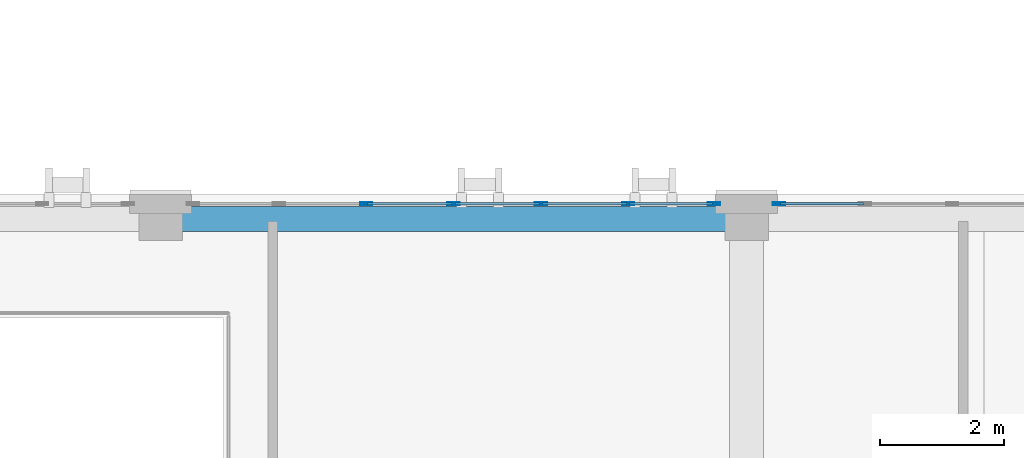
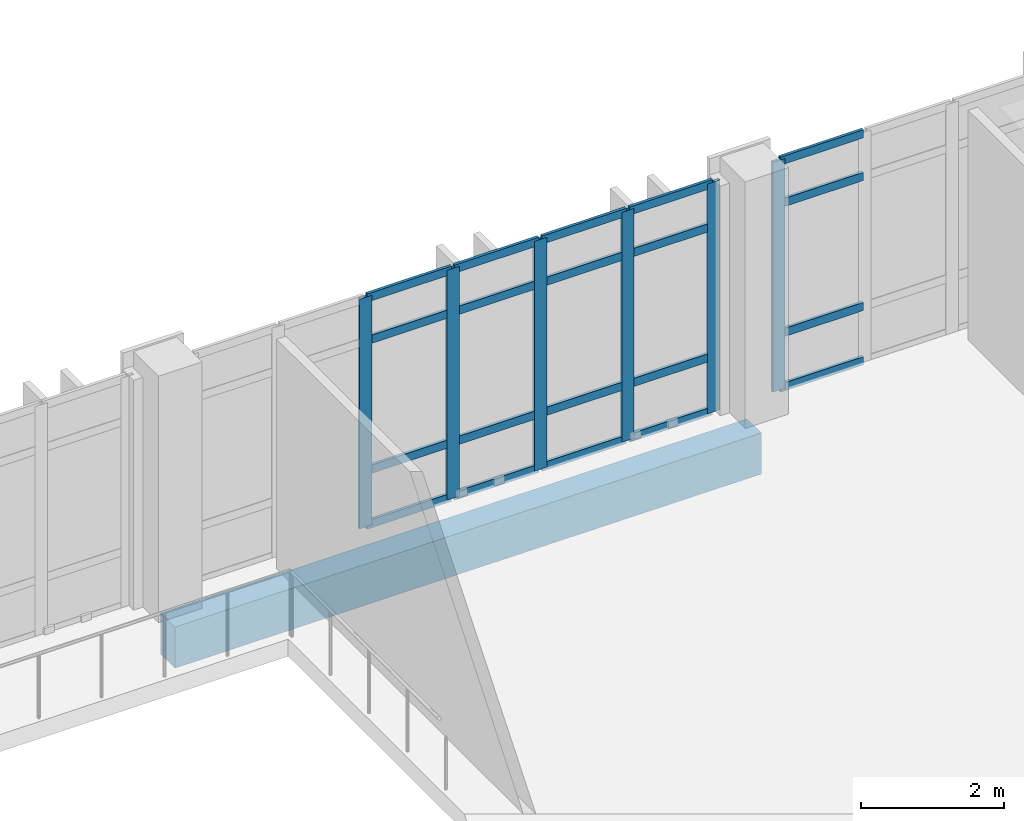
# One storey, part 39 of 193: 26 members, 1 beam, 2 elements without a shape of their own.
"""IFC4 building model written with IfcOpenShell, lengths in metres."""

from ifc_helpers import new_model, si_unit, direction, frame, origin, origin_2d, place, context, subcontext, project, spatial, rectangle, hollow_rectangle, extrude, material, layer, layer_set, material_profile, profile_set, type_object, element, aggregate, save


model = new_model("IFC4")

# Units and contexts
model_context = context("Model", 3, precision=1e-05, world=origin(), true_north=direction((0.0, 1.0)))
body_context = subcontext(model_context, "Body", "Model", "MODEL_VIEW")
ifc_project = project(units=[si_unit("LENGTHUNIT", "METRE"), si_unit("AREAUNIT", "SQUARE_METRE"), si_unit("VOLUMEUNIT", "CUBIC_METRE"), si_unit("PLANEANGLEUNIT", "RADIAN"), si_unit("MASSUNIT", "GRAM", prefix="KILO")], contexts=[model_context])

# Site, building, storey
site_placement = place(None, origin())
site = spatial("IfcSite", under=ifc_project, at=site_placement, CompositionType="ELEMENT")
building_placement = place(site_placement, origin())
building = spatial("IfcBuilding", under=site, at=building_placement, Name="Qalavern Law Courts", CompositionType="ELEMENT")
storey_placement = place(building_placement, frame((0.0, 0.0, 10.199951171875)))
storey = spatial("IfcBuildingStorey", under=building, at=storey_placement, Name="L02", CompositionType="ELEMENT", Elevation=10.199951171875)

# Curtain wall, member
ifc_material_1 = material(Name="Anodised aluminium and insulated glazing", Category="aluminium")
ifc_layer = layer(ifc_material_1, 0.18505859375)
ifc_layer_set = layer_set([ifc_layer], Name="Anodised aluminium and insulated glazing")
curtain_wall_type = type_object("IfcCurtainWallType", Name="ENV-CW-HALL", PredefinedType="USERDEFINED", material=ifc_layer_set)
curtain_wall_1_placement = place(storey_placement, origin())
curtain_wall_1 = element("IfcCurtainWall", 1, at=curtain_wall_1_placement, inside=storey, type_object=curtain_wall_type, Name="V2 unitised curtain wall L02 north 2", ObjectType="UNITISED CURTAIN WALL", PredefinedType="USERDEFINED")
ifc_material_2 = material(Name="Anodised aluminium", Category="aluminium")
ifc_material_profile_1 = material_profile(ifc_material_2, hollow_rectangle(XDim=0.048095703125, YDim=0.199951171875, WallThickness=0.00439453125, at=origin_2d()), Name="ALU MULLION 48x200")
ifc_profile_set_1 = profile_set([ifc_material_profile_1], Name="Anodised aluminium")
member_type_1 = type_object("IfcMemberType", Name="ENV-CWM-48x200", PredefinedType="MULLION", material=ifc_profile_set_1)
member_1_placement = place(storey_placement, frame((72.961181640625, 30.2451171875, 0.0), z_axis=(0.0, 0.0, 1.0), x_axis=(0.0, -1.0, 0.0)))
member_1 = element("IfcMember", 2, at=member_1_placement, type_object=member_type_1, Name="CW-02 mullion 7", PredefinedType="MULLION", context=body_context, shape_type="SweptSolid", body=[
    extrude(hollow_rectangle(XDim=0.048095703125, YDim=0.199951171875, WallThickness=0.00439453125, at=origin_2d()), origin(), (0.0, 0.0, 1.0), 3.9150390625),
])

# Curtain wall, members
curtain_wall_2_placement = place(storey_placement, origin())
curtain_wall_2 = element("IfcCurtainWall", 3, at=curtain_wall_2_placement, inside=storey, type_object=curtain_wall_type, Name="V2 unitised curtain wall L02 north 3", ObjectType="UNITISED CURTAIN WALL", PredefinedType="USERDEFINED")
member_2_placement = place(storey_placement, frame((71.9130859375, 30.2451171875, 0.0), z_axis=(0.0, 0.0, 1.0), x_axis=(0.0, -1.0, 0.0)))
member_2 = element("IfcMember", 4, at=member_2_placement, type_object=member_type_1, Name="CW-02 mullion 1", PredefinedType="MULLION", context=body_context, shape_type="SweptSolid", body=[
    extrude(hollow_rectangle(XDim=0.048095703125, YDim=0.199951171875, WallThickness=0.00439453125, at=origin_2d()), origin(), (0.0, 0.0, 1.0), 3.9150390625),
])
member_3_placement = place(storey_placement, frame((70.528076171875, 30.2451171875, 0.0), z_axis=(0.0, 0.0, 1.0), x_axis=(0.0, -1.0, 0.0)))
member_3 = element("IfcMember", 5, at=member_3_placement, type_object=member_type_1, Name="CW-02 mullion 2", PredefinedType="MULLION", context=body_context, shape_type="SweptSolid", body=[
    extrude(hollow_rectangle(XDim=0.048095703125, YDim=0.199951171875, WallThickness=0.00439453125, at=origin_2d()), origin(), (0.0, 0.0, 1.0), 3.9150390625),
])
member_4_placement = place(storey_placement, frame((69.119140625, 30.2451171875, 0.0), z_axis=(0.0, 0.0, 1.0), x_axis=(0.0, -1.0, 0.0)))
member_4 = element("IfcMember", 6, at=member_4_placement, type_object=member_type_1, Name="CW-02 mullion 3", PredefinedType="MULLION", context=body_context, shape_type="SweptSolid", body=[
    extrude(hollow_rectangle(XDim=0.048095703125, YDim=0.199951171875, WallThickness=0.00439453125, at=origin_2d()), origin(), (0.0, 0.0, 1.0), 3.9150390625),
])
member_5_placement = place(storey_placement, frame((67.7099609375, 30.2451171875, 0.0), z_axis=(0.0, 0.0, 1.0), x_axis=(0.0, -1.0, 0.0)))
member_5 = element("IfcMember", 7, at=member_5_placement, type_object=member_type_1, Name="CW-02 mullion 4", PredefinedType="MULLION", context=body_context, shape_type="SweptSolid", body=[
    extrude(hollow_rectangle(XDim=0.048095703125, YDim=0.199951171875, WallThickness=0.00439453125, at=origin_2d()), origin(), (0.0, 0.0, 1.0), 3.9150390625),
])
member_6_placement = place(storey_placement, frame((66.301025390625, 30.2451171875, 0.0), z_axis=(0.0, 0.0, 1.0), x_axis=(0.0, -1.0, 0.0)))
member_6 = element("IfcMember", 8, at=member_6_placement, type_object=member_type_1, Name="CW-02 mullion 5", PredefinedType="MULLION", context=body_context, shape_type="SweptSolid", body=[
    extrude(hollow_rectangle(XDim=0.048095703125, YDim=0.199951171875, WallThickness=0.00439453125, at=origin_2d()), origin(), (0.0, 0.0, 1.0), 3.9150390625),
])

# Member
ifc_material_profile_2 = material_profile(ifc_material_2, hollow_rectangle(XDim=0.048095703125, YDim=0.139892578125, WallThickness=0.00390625, at=origin_2d()), Name="ALU TRANSOM 48x140")
ifc_profile_set_2 = profile_set([ifc_material_profile_2], Name="Anodised aluminium")
member_type_2 = type_object("IfcMemberType", Name="ENV-CWT-48x140", PredefinedType="USERDEFINED", material=ifc_profile_set_2)
member_7_placement = place(storey_placement, frame((74.322265625, 30.2451171875, 0.024169921875), z_axis=(-1.0, 0.0, 0.0), x_axis=(0.0, -1.0, 0.0)))
member_7 = element("IfcMember", 9, at=member_7_placement, type_object=member_type_2, Name="CW-02 transom 6.1", ObjectType="TRANSOM", PredefinedType="USERDEFINED", context=body_context, shape_type="SweptSolid", body=[
    extrude(hollow_rectangle(XDim=0.048095703125, YDim=0.139892578125, WallThickness=0.00390625, at=origin_2d()), origin(), (0.0, 0.0, 1.0), 1.337158203125),
])

member_8_placement = place(storey_placement, frame((74.322265625, 30.2451171875, 0.949951171875), z_axis=(-1.0, 0.0, 0.0), x_axis=(0.0, -1.0, 0.0)))
member_8 = element("IfcMember", 10, at=member_8_placement, type_object=member_type_2, Name="CW-02 transom 6.2", ObjectType="TRANSOM", PredefinedType="USERDEFINED", context=body_context, shape_type="SweptSolid", body=[
    extrude(hollow_rectangle(XDim=0.048095703125, YDim=0.139892578125, WallThickness=0.00390625, at=origin_2d()), origin(), (0.0, 0.0, 1.0), 1.337158203125),
])

member_9_placement = place(storey_placement, frame((74.322265625, 30.2451171875, 3.1650390625), z_axis=(-1.0, 0.0, 0.0), x_axis=(0.0, -1.0, 0.0)))
member_9 = element("IfcMember", 11, at=member_9_placement, type_object=member_type_2, Name="CW-02 transom 6.3", ObjectType="TRANSOM", PredefinedType="USERDEFINED", context=body_context, shape_type="SweptSolid", body=[
    extrude(hollow_rectangle(XDim=0.048095703125, YDim=0.139892578125, WallThickness=0.00390625, at=origin_2d()), origin(), (0.0, 0.0, 1.0), 1.337158203125),
])

member_10_placement = place(storey_placement, frame((74.322265625, 30.2451171875, 3.89111328125), z_axis=(-1.0, 0.0, 0.0), x_axis=(0.0, -1.0, 0.0)))
member_10 = element("IfcMember", 12, at=member_10_placement, type_object=member_type_2, Name="CW-02 transom 6.4", ObjectType="TRANSOM", PredefinedType="USERDEFINED", context=body_context, shape_type="SweptSolid", body=[
    extrude(hollow_rectangle(XDim=0.048095703125, YDim=0.139892578125, WallThickness=0.00390625, at=origin_2d()), origin(), (0.0, 0.0, 1.0), 1.337158203125),
])

aggregate(curtain_wall_1, [member_1, member_7, member_8, member_9, member_10])

member_11_placement = place(storey_placement, frame((71.88916015625, 30.2451171875, 0.024169921875), z_axis=(-1.0, 0.0, 0.0), x_axis=(0.0, -1.0, 0.0)))
member_11 = element("IfcMember", 13, at=member_11_placement, type_object=member_type_2, Name="CW-02 transom 1.1", ObjectType="TRANSOM", PredefinedType="USERDEFINED", context=body_context, shape_type="SweptSolid", body=[
    extrude(hollow_rectangle(XDim=0.048095703125, YDim=0.139892578125, WallThickness=0.00390625, at=origin_2d()), origin(), (0.0, 0.0, 1.0), 1.337158203125),
])

member_12_placement = place(storey_placement, frame((71.88916015625, 30.2451171875, 0.949951171875), z_axis=(-1.0, 0.0, 0.0), x_axis=(0.0, -1.0, 0.0)))
member_12 = element("IfcMember", 14, at=member_12_placement, type_object=member_type_2, Name="CW-02 transom 1.2", ObjectType="TRANSOM", PredefinedType="USERDEFINED", context=body_context, shape_type="SweptSolid", body=[
    extrude(hollow_rectangle(XDim=0.048095703125, YDim=0.139892578125, WallThickness=0.00390625, at=origin_2d()), origin(), (0.0, 0.0, 1.0), 1.337158203125),
])

member_13_placement = place(storey_placement, frame((71.88916015625, 30.2451171875, 3.1650390625), z_axis=(-1.0, 0.0, 0.0), x_axis=(0.0, -1.0, 0.0)))
member_13 = element("IfcMember", 15, at=member_13_placement, type_object=member_type_2, Name="CW-02 transom 1.3", ObjectType="TRANSOM", PredefinedType="USERDEFINED", context=body_context, shape_type="SweptSolid", body=[
    extrude(hollow_rectangle(XDim=0.048095703125, YDim=0.139892578125, WallThickness=0.00390625, at=origin_2d()), origin(), (0.0, 0.0, 1.0), 1.337158203125),
])

member_14_placement = place(storey_placement, frame((71.88916015625, 30.2451171875, 3.89111328125), z_axis=(-1.0, 0.0, 0.0), x_axis=(0.0, -1.0, 0.0)))
member_14 = element("IfcMember", 16, at=member_14_placement, type_object=member_type_2, Name="CW-02 transom 1.4", ObjectType="TRANSOM", PredefinedType="USERDEFINED", context=body_context, shape_type="SweptSolid", body=[
    extrude(hollow_rectangle(XDim=0.048095703125, YDim=0.139892578125, WallThickness=0.00390625, at=origin_2d()), origin(), (0.0, 0.0, 1.0), 1.337158203125),
])

member_15_placement = place(storey_placement, frame((70.504150390625, 30.2451171875, 0.024169921875), z_axis=(-1.0, 0.0, 0.0), x_axis=(0.0, -1.0, 0.0)))
member_15 = element("IfcMember", 17, at=member_15_placement, type_object=member_type_2, Name="CW-02 transom 2.1", ObjectType="TRANSOM", PredefinedType="USERDEFINED", context=body_context, shape_type="SweptSolid", body=[
    extrude(hollow_rectangle(XDim=0.048095703125, YDim=0.139892578125, WallThickness=0.00390625, at=origin_2d()), origin(), (0.0, 0.0, 1.0), 1.361083984375),
])

member_16_placement = place(storey_placement, frame((70.504150390625, 30.2451171875, 0.949951171875), z_axis=(-1.0, 0.0, 0.0), x_axis=(0.0, -1.0, 0.0)))
member_16 = element("IfcMember", 18, at=member_16_placement, type_object=member_type_2, Name="CW-02 transom 2.2", ObjectType="TRANSOM", PredefinedType="USERDEFINED", context=body_context, shape_type="SweptSolid", body=[
    extrude(hollow_rectangle(XDim=0.048095703125, YDim=0.139892578125, WallThickness=0.00390625, at=origin_2d()), origin(), (0.0, 0.0, 1.0), 1.361083984375),
])

member_17_placement = place(storey_placement, frame((70.504150390625, 30.2451171875, 3.1650390625), z_axis=(-1.0, 0.0, 0.0), x_axis=(0.0, -1.0, 0.0)))
member_17 = element("IfcMember", 19, at=member_17_placement, type_object=member_type_2, Name="CW-02 transom 2.3", ObjectType="TRANSOM", PredefinedType="USERDEFINED", context=body_context, shape_type="SweptSolid", body=[
    extrude(hollow_rectangle(XDim=0.048095703125, YDim=0.139892578125, WallThickness=0.00390625, at=origin_2d()), origin(), (0.0, 0.0, 1.0), 1.361083984375),
])

member_18_placement = place(storey_placement, frame((70.504150390625, 30.2451171875, 3.89111328125), z_axis=(-1.0, 0.0, 0.0), x_axis=(0.0, -1.0, 0.0)))
member_18 = element("IfcMember", 20, at=member_18_placement, type_object=member_type_2, Name="CW-02 transom 2.4", ObjectType="TRANSOM", PredefinedType="USERDEFINED", context=body_context, shape_type="SweptSolid", body=[
    extrude(hollow_rectangle(XDim=0.048095703125, YDim=0.139892578125, WallThickness=0.00390625, at=origin_2d()), origin(), (0.0, 0.0, 1.0), 1.361083984375),
])

member_19_placement = place(storey_placement, frame((69.094970703125, 30.2451171875, 0.024169921875), z_axis=(-1.0, 0.0, 0.0), x_axis=(0.0, -1.0, 0.0)))
member_19 = element("IfcMember", 21, at=member_19_placement, type_object=member_type_2, Name="CW-02 transom 3.1", ObjectType="TRANSOM", PredefinedType="USERDEFINED", context=body_context, shape_type="SweptSolid", body=[
    extrude(hollow_rectangle(XDim=0.048095703125, YDim=0.139892578125, WallThickness=0.00390625, at=origin_2d()), origin(), (0.0, 0.0, 1.0), 1.361083984375),
])

member_20_placement = place(storey_placement, frame((69.094970703125, 30.2451171875, 0.949951171875), z_axis=(-1.0, 0.0, 0.0), x_axis=(0.0, -1.0, 0.0)))
member_20 = element("IfcMember", 22, at=member_20_placement, type_object=member_type_2, Name="CW-02 transom 3.2", ObjectType="TRANSOM", PredefinedType="USERDEFINED", context=body_context, shape_type="SweptSolid", body=[
    extrude(hollow_rectangle(XDim=0.048095703125, YDim=0.139892578125, WallThickness=0.00390625, at=origin_2d()), origin(), (0.0, 0.0, 1.0), 1.361083984375),
])

member_21_placement = place(storey_placement, frame((69.094970703125, 30.2451171875, 3.1650390625), z_axis=(-1.0, 0.0, 0.0), x_axis=(0.0, -1.0, 0.0)))
member_21 = element("IfcMember", 23, at=member_21_placement, type_object=member_type_2, Name="CW-02 transom 3.3", ObjectType="TRANSOM", PredefinedType="USERDEFINED", context=body_context, shape_type="SweptSolid", body=[
    extrude(hollow_rectangle(XDim=0.048095703125, YDim=0.139892578125, WallThickness=0.00390625, at=origin_2d()), origin(), (0.0, 0.0, 1.0), 1.361083984375),
])

member_22_placement = place(storey_placement, frame((69.094970703125, 30.2451171875, 3.89111328125), z_axis=(-1.0, 0.0, 0.0), x_axis=(0.0, -1.0, 0.0)))
member_22 = element("IfcMember", 24, at=member_22_placement, type_object=member_type_2, Name="CW-02 transom 3.4", ObjectType="TRANSOM", PredefinedType="USERDEFINED", context=body_context, shape_type="SweptSolid", body=[
    extrude(hollow_rectangle(XDim=0.048095703125, YDim=0.139892578125, WallThickness=0.00390625, at=origin_2d()), origin(), (0.0, 0.0, 1.0), 1.361083984375),
])

member_23_placement = place(storey_placement, frame((67.68603515625, 30.2451171875, 0.024169921875), z_axis=(-1.0, 0.0, 0.0), x_axis=(0.0, -1.0, 0.0)))
member_23 = element("IfcMember", 25, at=member_23_placement, type_object=member_type_2, Name="CW-02 transom 4.1", ObjectType="TRANSOM", PredefinedType="USERDEFINED", context=body_context, shape_type="SweptSolid", body=[
    extrude(hollow_rectangle(XDim=0.048095703125, YDim=0.139892578125, WallThickness=0.00390625, at=origin_2d()), origin(), (0.0, 0.0, 1.0), 1.361083984375),
])

member_24_placement = place(storey_placement, frame((67.68603515625, 30.2451171875, 0.949951171875), z_axis=(-1.0, 0.0, 0.0), x_axis=(0.0, -1.0, 0.0)))
member_24 = element("IfcMember", 26, at=member_24_placement, type_object=member_type_2, Name="CW-02 transom 4.2", ObjectType="TRANSOM", PredefinedType="USERDEFINED", context=body_context, shape_type="SweptSolid", body=[
    extrude(hollow_rectangle(XDim=0.048095703125, YDim=0.139892578125, WallThickness=0.00390625, at=origin_2d()), origin(), (0.0, 0.0, 1.0), 1.361083984375),
])

member_25_placement = place(storey_placement, frame((67.68603515625, 30.2451171875, 3.1650390625), z_axis=(-1.0, 0.0, 0.0), x_axis=(0.0, -1.0, 0.0)))
member_25 = element("IfcMember", 27, at=member_25_placement, type_object=member_type_2, Name="CW-02 transom 4.3", ObjectType="TRANSOM", PredefinedType="USERDEFINED", context=body_context, shape_type="SweptSolid", body=[
    extrude(hollow_rectangle(XDim=0.048095703125, YDim=0.139892578125, WallThickness=0.00390625, at=origin_2d()), origin(), (0.0, 0.0, 1.0), 1.361083984375),
])

member_26_placement = place(storey_placement, frame((67.68603515625, 30.2451171875, 3.89111328125), z_axis=(-1.0, 0.0, 0.0), x_axis=(0.0, -1.0, 0.0)))
member_26 = element("IfcMember", 28, at=member_26_placement, type_object=member_type_2, Name="CW-02 transom 4.4", ObjectType="TRANSOM", PredefinedType="USERDEFINED", context=body_context, shape_type="SweptSolid", body=[
    extrude(hollow_rectangle(XDim=0.048095703125, YDim=0.139892578125, WallThickness=0.00390625, at=origin_2d()), origin(), (0.0, 0.0, 1.0), 1.361083984375),
])

aggregate(curtain_wall_2, [member_2, member_3, member_4, member_5, member_6, member_11, member_12, member_13, member_14, member_15, member_16, member_17, member_18, member_19, member_20, member_21, member_22, member_23, member_24, member_25, member_26])

# Beam
ifc_material_3 = material(Name="Concrete C40/50", Category="concrete")
ifc_material_profile_3 = material_profile(ifc_material_3, rectangle(XDim=0.39990234375, YDim=0.699951171875, at=origin_2d()), Name="RC 400x700")
ifc_profile_set_3 = profile_set([ifc_material_profile_3], Name="Concrete C40/50")
beam_type = type_object("IfcBeamType", Name="STR-SP-RC400x700", PredefinedType="SPANDREL", material=ifc_profile_set_3)
beam_placement = place(storey_placement, frame((62.98291015625, 30.0, -0.639892578125), z_axis=(1.0, 0.0, 0.0), x_axis=(0.0, 1.0, 0.0)))
element("IfcBeam", 29, at=beam_placement, inside=storey, type_object=beam_type, Name="V2 X-beam 4-4 L02", PredefinedType="SPANDREL", context=body_context, shape_type="SweptSolid", body=[
    extrude(rectangle(XDim=0.39990234375, YDim=0.699951171875, at=origin_2d()), origin(), (0.0, 0.0, 1.0), 9.4541015625),
])

save(model, "model.ifc")
